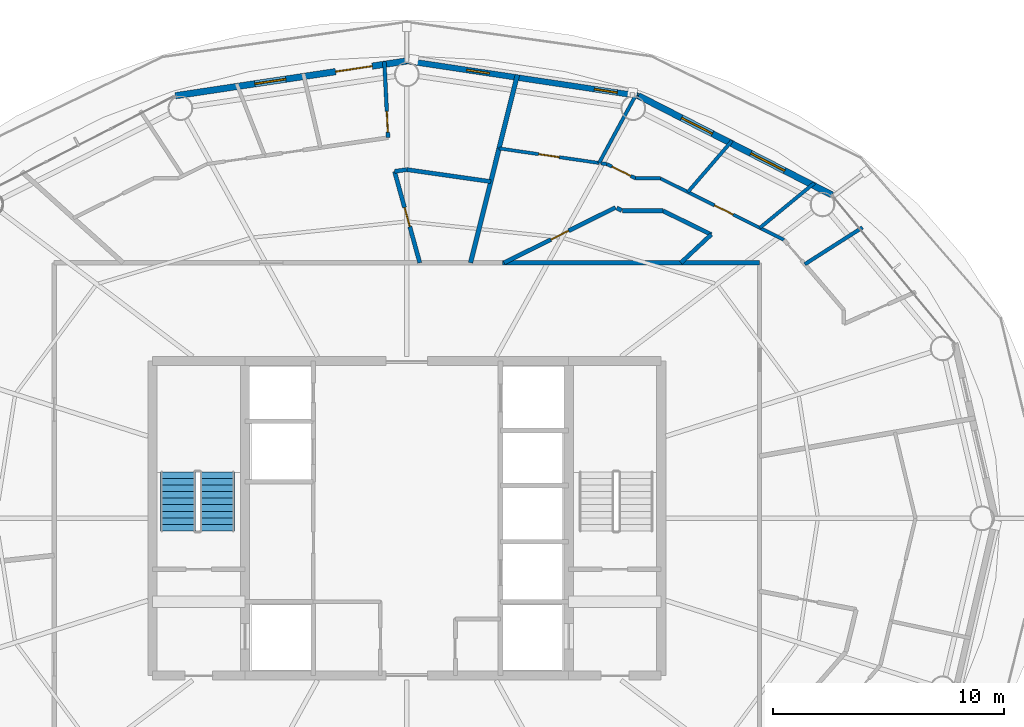
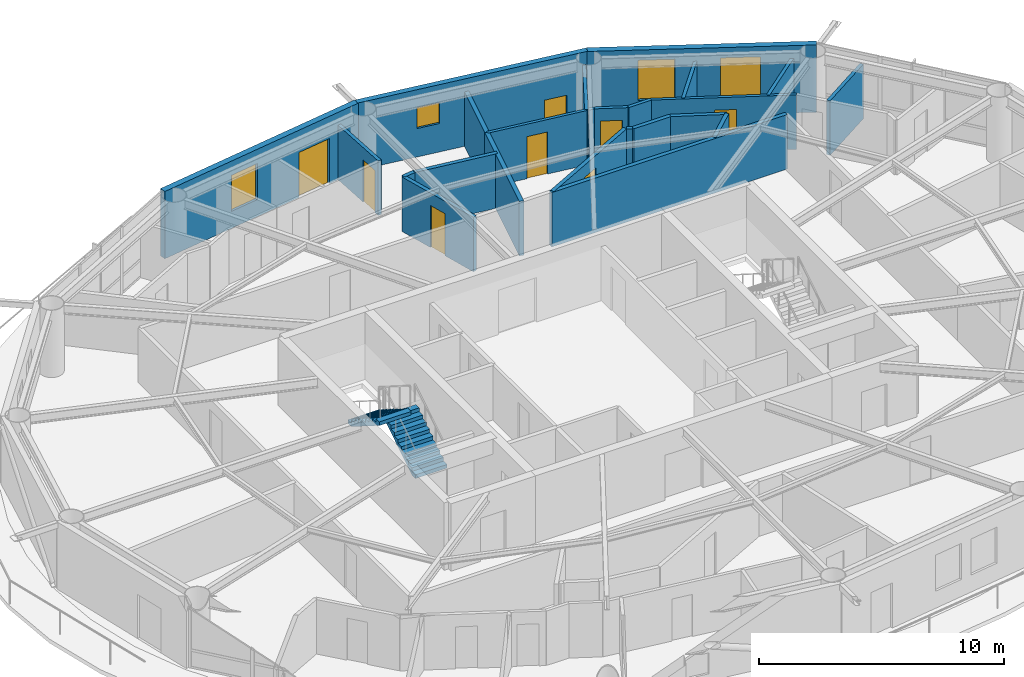
# One storey, part 19 of 23: 24 walls, 7 doors, 5 windows, 2 stair flights, 12 openings, 1 element without a shape of its own.
"""IFC4 building model written with IfcOpenShell, lengths in metres."""

from ifc_helpers import new_model, si_unit, direction, frame, frame_2d, origin, place, context, subcontext, project, spatial, polyline, rectangle, outline, extrude, material, layer, layer_set, type_object, element, fill, aggregate, save


model = new_model("IFC4")

# Units and contexts
model_context = context("Model", 3, precision=1e-05, world=origin(), true_north=direction((0.0, 1.0)))
body_context = subcontext(model_context, "Body", "Model", "MODEL_VIEW")
ifc_project = project(units=[si_unit("LENGTHUNIT", "METRE"), si_unit("AREAUNIT", "SQUARE_METRE"), si_unit("VOLUMEUNIT", "CUBIC_METRE"), si_unit("PLANEANGLEUNIT", "RADIAN"), si_unit("MASSUNIT", "GRAM", prefix="KILO")], contexts=[model_context])

# Site, building, storey
site_placement = place(None, origin())
site = spatial("IfcSite", under=ifc_project, at=site_placement, CompositionType="ELEMENT")
building_placement = place(site_placement, origin())
building = spatial("IfcBuilding", under=site, at=building_placement, Name="Sarneth Arch Tower", CompositionType="ELEMENT")
storey_placement = place(building_placement, frame((0.0, 0.0, 246.0)))
storey = spatial("IfcBuildingStorey", under=building, at=storey_placement, Name="L63", CompositionType="ELEMENT", Elevation=246.0)

# Wall
ifc_material_1 = material(Name="Double steel-stud corridor fire wall", Category="steel")
ifc_layer_1 = layer(ifc_material_1, 0.18994140625)
ifc_layer_set_1 = layer_set([ifc_layer_1], Name="Double steel-stud corridor fire wall")
wall_type_1 = type_object("IfcWallType", Name="WALL-CORR-190", PredefinedType="PARTITIONING", material=ifc_layer_set_1)
wall_1_placement = place(storey_placement, frame((52.132568359375, 53.050048828125, 0.0), z_axis=(0.0, 0.0, 1.0), x_axis=(1.0, 0.0, 0.0)))
element("IfcWall", 1, at=wall_1_placement, inside=storey, type_object=wall_type_1, Name="L63 Interior partition W-L63-TP-004", PredefinedType="PARTITIONING", context=body_context, shape_type="SweptSolid", body=[
    extrude(rectangle(XDim=11.117431640625, YDim=0.18994140625, at=frame_2d((5.55859375, 0.0))), origin(), (0.0, 0.0, 1.0), 2.719970703125),
])

# Wall, openings, windows
ifc_material_2 = material(Name="Extruded terracotta rainscreen on Concrete C40/50 backing", Category="masonry")
ifc_layer_2 = layer(ifc_material_2, 0.25)
ifc_layer_set_2 = layer_set([ifc_layer_2], Name="Extruded terracotta rainscreen on Concrete C40/50 backing")
wall_type_2 = type_object("IfcWallType", Name="WALL-EXT-SPAND-250", PredefinedType="SOLIDWALL", material=ifc_layer_set_2)
wall_2_placement = place(storey_placement, frame((58.0126953125, 60.2744140625, 0.0), z_axis=(0.0, 0.0, 1.0), x_axis=(-0.988882522213, 0.148698881169, 0.0)))
wall_2 = element("IfcWall", 2, at=wall_2_placement, inside=storey, type_object=wall_type_2, Name="L63 Terracotta perimeter wall 04", PredefinedType="SOLIDWALL", context=body_context, shape_type="SweptSolid", body=[
    extrude(rectangle(XDim=10.125244140625, YDim=0.25, at=frame_2d((5.0625, 0.0))), origin(), (0.0, 0.0, 1.0), 3.360107421875),
])
opening_1_placement = place(wall_2_placement, frame((0.919677734375, 0.0, 0.35009765625)))
opening_1 = element("IfcOpeningElement", 3, at=opening_1_placement, cuts=wall_2, Name="Opening W-14", PredefinedType="OPENING", context=body_context, shape_type="SweptSolid", body=[
    extrude(rectangle(XDim=1.0, YDim=1.050048828125, at=frame_2d((0.5, 0.52490234375))), frame((0.0, 0.135009765625, 0.0), z_axis=(0.0, -1.0, 0.0), x_axis=(1.0, 0.0, 0.0)), (0.0, 0.0, 1.0), 0.27001953125),
])
opening_2_placement = place(wall_2_placement, frame((6.513671875, 0.0, 1.419921875)))
opening_2 = element("IfcOpeningElement", 4, at=opening_2_placement, cuts=wall_2, Name="Opening W-14", PredefinedType="OPENING", context=body_context, shape_type="SweptSolid", body=[
    extrude(rectangle(XDim=1.0, YDim=1.050048828125, at=frame_2d((0.5, 0.52490234375))), frame((0.0, 0.135009765625, 0.0), z_axis=(0.0, -1.0, 0.0), x_axis=(1.0, 0.0, 0.0)), (0.0, 0.0, 1.0), 0.27001953125),
])
ifc_material_3 = material(Name="Thermally broken Aluminium 6063-T6 and low-e laminated IGU", Category="aluminium")
window_type_1 = type_object("IfcWindowType", Name="WIN-TWR-1000x1050", PartitioningType="SINGLE_PANEL", PredefinedType="WINDOW", material=ifc_material_3)
window_1_placement = place(opening_1_placement, origin())
window_1 = element("IfcWindow", 5, at=window_1_placement, inside=storey, type_object=window_type_1, Name="L63 Dwelling bedroom window 01", OverallHeight=1.050048828125, OverallWidth=1.0, PartitioningType="SINGLE_PANEL", PredefinedType="WINDOW", context=body_context, shape_type="SweptSolid", body=[
    extrude(rectangle(XDim=1.0, YDim=1.050048828125, at=frame_2d((0.5, 0.52490234375))), frame((0.0, 0.030029296875, 0.0), z_axis=(0.0, -1.0, 0.0), x_axis=(1.0, 0.0, 0.0)), (0.0, 0.0, 1.0), 0.06005859375),
])
fill(opening_1, window_1)
window_2_placement = place(opening_2_placement, origin())
window_2 = element("IfcWindow", 6, at=window_2_placement, inside=storey, type_object=window_type_1, Name="L63 Dwelling bedroom window 02", OverallHeight=1.050048828125, OverallWidth=1.0, PartitioningType="SINGLE_PANEL", PredefinedType="WINDOW", context=body_context, shape_type="SweptSolid", body=[
    extrude(rectangle(XDim=1.0, YDim=1.050048828125, at=frame_2d((0.5, 0.52490234375))), frame((0.0, 0.030029296875, 0.0), z_axis=(0.0, -1.0, 0.0), x_axis=(1.0, 0.0, 0.0)), (0.0, 0.0, 1.0), 0.06005859375),
])
fill(opening_2, window_2)

ifc_material_4 = material(Name="Extruded terracotta rainscreen on Concrete C40/50 backing", Category="masonry")
ifc_layer_3 = layer(ifc_material_4, 0.280029296875)
ifc_layer_set_3 = layer_set([ifc_layer_3], Name="Extruded terracotta rainscreen on Concrete C40/50 backing")
wall_type_3 = type_object("IfcWallType", Name="WALL-EXT-TERRA-280", PredefinedType="SOLIDWALL", material=ifc_layer_set_3)
wall_3_placement = place(storey_placement, frame((66.382568359375, 55.986572265625, 0.0), z_axis=(0.0, 0.0, 1.0), x_axis=(-0.890007394051, 0.455946091699, 0.0)))
wall_3 = element("IfcWall", 7, at=wall_3_placement, inside=storey, type_object=wall_type_3, Name="L63 Terracotta perimeter wall 03", PredefinedType="SOLIDWALL", context=body_context, shape_type="SweptSolid", body=[
    extrude(rectangle(XDim=9.404296875, YDim=0.280029296875, at=frame_2d((4.7021484375, 0.0))), origin(), (0.0, 0.0, 1.0), 3.360107421875),
])
opening_3_placement = place(wall_3_placement, frame((2.294189453125, 0.0, 0.85009765625)))
opening_3 = element("IfcOpeningElement", 8, at=opening_3_placement, cuts=wall_3, Name="Opening W-05", PredefinedType="OPENING", context=body_context, shape_type="SweptSolid", body=[
    extrude(rectangle(XDim=1.64990234375, YDim=2.0, at=frame_2d((0.824951171875, 1.0))), frame((0.0, 0.14990234375, 0.0), z_axis=(0.0, -1.0, 0.0), x_axis=(1.0, 0.0, 0.0)), (0.0, 0.0, 1.0), 0.300048828125),
])
opening_4_placement = place(wall_3_placement, frame((5.81005859375, 0.0, 0.85009765625)))
opening_4 = element("IfcOpeningElement", 9, at=opening_4_placement, cuts=wall_3, Name="Opening W-06", PredefinedType="OPENING", context=body_context, shape_type="SweptSolid", body=[
    extrude(rectangle(XDim=1.5, YDim=2.0, at=frame_2d((0.75, 1.0))), frame((0.0, 0.14990234375, 0.0), z_axis=(0.0, -1.0, 0.0), x_axis=(1.0, 0.0, 0.0)), (0.0, 0.0, 1.0), 0.300048828125),
])
ifc_material_5 = material(Name="Thermally broken Aluminium 6063-T6 and low-e laminated IGU", Category="aluminium")
window_type_2 = type_object("IfcWindowType", Name="WIN-TWR-1500x2000", PartitioningType="SINGLE_PANEL", PredefinedType="WINDOW", material=ifc_material_5)
window_3_placement = place(opening_4_placement, origin())
window_3 = element("IfcWindow", 10, at=window_3_placement, inside=storey, type_object=window_type_2, Name="L63 Exterior window 03B", OverallHeight=2.0, OverallWidth=1.5, PartitioningType="SINGLE_PANEL", PredefinedType="WINDOW", context=body_context, shape_type="SweptSolid", body=[
    extrude(rectangle(XDim=1.5, YDim=2.0, at=frame_2d((0.75, 1.0))), frame((0.0, 0.030029296875, 0.0), z_axis=(0.0, -1.0, 0.0), x_axis=(1.0, 0.0, 0.0)), (0.0, 0.0, 1.0), 0.06005859375),
])
fill(opening_4, window_3)
ifc_material_6 = material(Name="Thermally broken Aluminium 6063-T6 and low-e laminated IGU", Category="aluminium")
window_type_3 = type_object("IfcWindowType", Name="WIN-TWR-1650x2000", PartitioningType="DOUBLE_PANEL_VERTICAL", PredefinedType="WINDOW", material=ifc_material_6)
window_4_placement = place(opening_3_placement, origin())
window_4 = element("IfcWindow", 11, at=window_4_placement, inside=storey, type_object=window_type_3, Name="L63 Exterior window 03A", OverallHeight=2.0, OverallWidth=1.64990234375, PartitioningType="SINGLE_PANEL", PredefinedType="WINDOW", context=body_context, shape_type="SweptSolid", body=[
    extrude(rectangle(XDim=1.64990234375, YDim=2.0, at=frame_2d((0.824951171875, 1.0))), frame((0.0, 0.030029296875, 0.0), z_axis=(0.0, -1.0, 0.0), x_axis=(1.0, 0.0, 0.0)), (0.0, 0.0, 1.0), 0.06005859375),
])
fill(opening_3, window_4)

# Wall, openings, door, window
wall_4_placement = place(storey_placement, frame((48.0, 61.780029296875, 0.0), z_axis=(0.0, 0.0, 1.0), x_axis=(-0.988882522213, -0.148698881169, 0.0)))
wall_4 = element("IfcWall", 12, at=wall_4_placement, inside=storey, type_object=wall_type_3, Name="L63 Terracotta perimeter wall 05", PredefinedType="SOLIDWALL", context=body_context, shape_type="SweptSolid", body=[
    extrude(rectangle(XDim=10.125244140625, YDim=0.280029296875, at=frame_2d((5.0625, 0.0))), origin(), (0.0, 0.0, 1.0), 3.360107421875),
])
opening_5_placement = place(wall_4_placement, frame((1.51611328125, 0.0, 0.0)))
opening_5 = element("IfcOpeningElement", 13, at=opening_5_placement, cuts=wall_4, Name="Opening BD-1", PredefinedType="OPENING", context=body_context, shape_type="SweptSolid", body=[
    extrude(rectangle(XDim=1.60009765625, YDim=2.25, at=frame_2d((0.800048828125, 1.125))), frame((0.0, 0.14990234375, 0.0), z_axis=(0.0, -1.0, 0.0), x_axis=(1.0, 0.0, 0.0)), (0.0, 0.0, 1.0), 0.300048828125),
])
opening_6_placement = place(wall_4_placement, frame((5.29345703125, 0.0, 0.85009765625)))
opening_6 = element("IfcOpeningElement", 14, at=opening_6_placement, cuts=wall_4, Name="Opening W-08", PredefinedType="OPENING", context=body_context, shape_type="SweptSolid", body=[
    extrude(rectangle(XDim=1.35009765625, YDim=1.800048828125, at=frame_2d((0.675048828125, 0.89990234375))), frame((0.0, 0.14990234375, 0.0), z_axis=(0.0, -1.0, 0.0), x_axis=(1.0, 0.0, 0.0)), (0.0, 0.0, 1.0), 0.300048828125),
])
ifc_material_7 = material(Name="Thermally broken Aluminium 6063-T6 and laminated safety glass", Category="aluminium")
door_type_1 = type_object("IfcDoorType", Name="DR-BALC-GLZ-1600", OperationType="DOUBLE_DOOR_SINGLE_SWING", PredefinedType="DOOR", material=ifc_material_7)
door_1_placement = place(opening_5_placement, origin())
door_1 = element("IfcDoor", 15, at=door_1_placement, inside=storey, type_object=door_type_1, Name="L63 Balcony glazed door 05", OperationType="DOUBLE_DOOR_SINGLE_SWING", OverallHeight=2.25, OverallWidth=1.60009765625, PredefinedType="DOOR", context=body_context, shape_type="SweptSolid", body=[
    extrude(rectangle(XDim=1.60009765625, YDim=2.25, at=frame_2d((0.800048828125, 1.125))), frame((0.0, 0.02490234375, 0.0), z_axis=(0.0, -1.0, 0.0), x_axis=(1.0, 0.0, 0.0)), (0.0, 0.0, 1.0), 0.050048828125),
])
fill(opening_5, door_1)
ifc_material_8 = material(Name="Thermally broken Aluminium 6063-T6 and low-e laminated IGU", Category="aluminium")
window_type_4 = type_object("IfcWindowType", Name="WIN-TWR-1350x1800", PartitioningType="SINGLE_PANEL", PredefinedType="WINDOW", material=ifc_material_8)
window_5_placement = place(opening_6_placement, origin())
window_5 = element("IfcWindow", 16, at=window_5_placement, inside=storey, type_object=window_type_4, Name="L63 Exterior window 05A", OverallHeight=1.800048828125, OverallWidth=1.35009765625, PartitioningType="SINGLE_PANEL", PredefinedType="WINDOW", context=body_context, shape_type="SweptSolid", body=[
    extrude(rectangle(XDim=1.35009765625, YDim=1.800048828125, at=frame_2d((0.675048828125, 0.89990234375))), frame((0.0, 0.030029296875, 0.0), z_axis=(0.0, -1.0, 0.0), x_axis=(1.0, 0.0, 0.0)), (0.0, 0.0, 1.0), 0.06005859375),
])
fill(opening_6, window_5)

# Wall, opening, door
ifc_material_9 = material(Name="Apartment internal stud partition", Category="gypsum")
ifc_layer_4 = layer(ifc_material_9, 0.139892578125)
ifc_layer_set_4 = layer_set([ifc_layer_4], Name="Apartment internal stud partition")
wall_type_4 = type_object("IfcWallType", Name="WALL-PART-140", PredefinedType="PARTITIONING", material=ifc_layer_set_4)
wall_5_placement = place(storey_placement, frame((56.313232421875, 57.36767578125, 0.0), z_axis=(0.0, 0.0, 1.0), x_axis=(-0.989534144388, 0.144298915765, 0.0)))
wall_5 = element("IfcWall", 17, at=wall_5_placement, inside=storey, type_object=wall_type_4, Name="L63 Interior partition W-L63-TP-032", PredefinedType="PARTITIONING", context=body_context, shape_type="SweptSolid", body=[
    extrude(rectangle(XDim=4.3701171875, YDim=0.139892578125, at=frame_2d((2.18505859375, 0.0))), origin(), (0.0, 0.0, 1.0), 2.719970703125),
])
opening_7_placement = place(wall_5_placement, frame((1.735107421875, 0.0, 0.0)))
opening_7 = element("IfcOpeningElement", 18, at=opening_7_placement, cuts=wall_5, Name="Opening ID-01", PredefinedType="OPENING", context=body_context, shape_type="SweptSolid", body=[
    extrude(rectangle(XDim=0.89990234375, YDim=2.10009765625, at=frame_2d((0.449951171875, 1.050048828125))), frame((0.0, 0.079833984375, 0.0), z_axis=(0.0, -1.0, 0.0), x_axis=(1.0, 0.0, 0.0)), (0.0, 0.0, 1.0), 0.159912109375),
])
ifc_material_10 = material(Name="Engineered hardwood flush door", Category="wood")
door_type_2 = type_object("IfcDoorType", Name="DR-INT-900", OperationType="SINGLE_SWING_LEFT", PredefinedType="DOOR", material=ifc_material_10)
door_2_placement = place(opening_7_placement, origin())
door_2 = element("IfcDoor", 19, at=door_2_placement, inside=storey, type_object=door_type_2, Name="L63 Interior door DR-L63-U1-BED3", OperationType="SINGLE_SWING_RIGHT", OverallHeight=2.10009765625, OverallWidth=0.89990234375, PredefinedType="DOOR", context=body_context, shape_type="SweptSolid", body=[
    extrude(rectangle(XDim=0.89990234375, YDim=2.10009765625, at=frame_2d((0.449951171875, 1.050048828125))), frame((0.0, 0.02490234375, 0.0), z_axis=(0.0, -1.0, 0.0), x_axis=(1.0, 0.0, 0.0)), (0.0, 0.0, 1.0), 0.050048828125),
])
fill(opening_7, door_2)

wall_6_placement = place(storey_placement, frame((58.9638671875, 56.699951171875, 0.0), z_axis=(0.0, 0.0, 1.0), x_axis=(0.895471406875, -0.445119039661, 0.0)))
wall_6 = element("IfcWall", 20, at=wall_6_placement, inside=storey, type_object=wall_type_4, Name="L63 Interior partition W-L63-TP-027", PredefinedType="PARTITIONING", context=body_context, shape_type="SweptSolid", body=[
    extrude(rectangle(XDim=5.971435546875, YDim=0.139892578125, at=frame_2d((2.98583984375, 0.0))), origin(), (0.0, 0.0, 1.0), 2.719970703125),
])
opening_8_placement = place(wall_6_placement, frame((2.615966796875, 0.0, 0.0)))
opening_8 = element("IfcOpeningElement", 21, at=opening_8_placement, cuts=wall_6, Name="Opening ID-01", PredefinedType="OPENING", context=body_context, shape_type="SweptSolid", body=[
    extrude(rectangle(XDim=0.89990234375, YDim=2.10009765625, at=frame_2d((0.449951171875, 1.050048828125))), frame((0.0, 0.079833984375, 0.0), z_axis=(0.0, -1.0, 0.0), x_axis=(1.0, 0.0, 0.0)), (0.0, 0.0, 1.0), 0.159912109375),
])
door_3_placement = place(opening_8_placement, origin())
door_3 = element("IfcDoor", 22, at=door_3_placement, inside=storey, type_object=door_type_2, Name="L63 Interior door DR-L63-U1-BED1", OperationType="SINGLE_SWING_LEFT", OverallHeight=2.10009765625, OverallWidth=0.89990234375, PredefinedType="DOOR", context=body_context, shape_type="SweptSolid", body=[
    extrude(rectangle(XDim=0.89990234375, YDim=2.10009765625, at=frame_2d((0.449951171875, 1.050048828125))), frame((0.0, 0.02490234375, 0.0), z_axis=(0.0, -1.0, 0.0), x_axis=(1.0, 0.0, 0.0)), (0.0, 0.0, 1.0), 0.050048828125),
])
fill(opening_8, door_3)

# Walls
ifc_material_11 = material(Name="Acoustic gypsum stud partition", Category="gypsum")
ifc_layer_5 = layer(ifc_material_11, 0.14990234375)
ifc_layer_set_5 = layer_set([ifc_layer_5], Name="Acoustic gypsum stud partition")
wall_type_5 = type_object("IfcWallType", Name="WALL-PART-150", PredefinedType="PARTITIONING", material=ifc_layer_set_5)
wall_7_placement = place(storey_placement, frame((57.952392578125, 60.3974609375, 0.0), z_axis=(0.0, 0.0, 1.0), x_axis=(-0.47584015673, -0.879531776142, 0.0)))
element("IfcWall", 23, at=wall_7_placement, inside=storey, type_object=wall_type_5, Name="L63 Interior partition W-L63-TP-040", PredefinedType="PARTITIONING", context=body_context, shape_type="SweptSolid", body=[
    extrude(rectangle(XDim=3.44482421875, YDim=0.14990234375, at=frame_2d((1.722412109375, 0.0))), origin(), (0.0, 0.0, 1.0), 2.719970703125),
])
wall_8_placement = place(storey_placement, frame((65.62158203125, 56.5, 0.0), z_axis=(0.0, 0.0, 1.0), x_axis=(-0.772175042734, -0.635409870381, 0.0)))
element("IfcWall", 24, at=wall_8_placement, inside=storey, type_object=wall_type_5, Name="L63 Interior partition W-L63-TP-038", PredefinedType="PARTITIONING", context=body_context, shape_type="SweptSolid", body=[
    extrude(rectangle(XDim=3.05078125, YDim=0.14990234375, at=frame_2d((1.525390625, 0.0))), origin(), (0.0, 0.0, 1.0), 2.719970703125),
])
wall_9_placement = place(storey_placement, frame((62.063232421875, 58.330322265625, 0.0), z_axis=(0.0, 0.0, 1.0), x_axis=(-0.652532437784, -0.757760791834, 0.0)))
element("IfcWall", 25, at=wall_9_placement, inside=storey, type_object=wall_type_5, Name="L63 Interior partition W-L63-TP-039", PredefinedType="PARTITIONING", context=body_context, shape_type="SweptSolid", body=[
    extrude(rectangle(XDim=2.93017578125, YDim=0.14990234375, at=frame_2d((1.465087890625, 0.0))), origin(), (0.0, 0.0, 1.0), 2.719970703125),
])

# Wall, opening, door
wall_10_placement = place(storey_placement, frame((57.898681640625, 56.699951171875, 0.0), z_axis=(0.0, 0.0, 1.0), x_axis=(-0.895584310315, 0.444891833053, 0.0)))
wall_10 = element("IfcWall", 26, at=wall_10_placement, inside=storey, type_object=wall_type_5, Name="L63 Interior partition W-L63-TP-030", PredefinedType="PARTITIONING", context=body_context, shape_type="SweptSolid", body=[
    extrude(rectangle(XDim=1.388916015625, YDim=0.14990234375, at=frame_2d((0.6943359375, 0.0))), origin(), (0.0, 0.0, 1.0), 2.719970703125),
])
opening_9_placement = place(wall_10_placement, frame((0.244384765625, 0.0, 0.0)))
opening_9 = element("IfcOpeningElement", 27, at=opening_9_placement, cuts=wall_10, Name="Opening ID-01", PredefinedType="OPENING", context=body_context, shape_type="SweptSolid", body=[
    extrude(rectangle(XDim=0.89990234375, YDim=2.10009765625, at=frame_2d((0.449951171875, 1.050048828125))), frame((0.0, 0.0849609375, 0.0), z_axis=(0.0, -1.0, 0.0), x_axis=(1.0, 0.0, 0.0)), (0.0, 0.0, 1.0), 0.169921875),
])
door_4_placement = place(opening_9_placement, origin())
door_4 = element("IfcDoor", 28, at=door_4_placement, inside=storey, type_object=door_type_2, Name="L63 Interior door DR-L63-U1-BED2", OperationType="SINGLE_SWING_RIGHT", OverallHeight=2.10009765625, OverallWidth=0.89990234375, PredefinedType="DOOR", context=body_context, shape_type="SweptSolid", body=[
    extrude(rectangle(XDim=0.89990234375, YDim=2.10009765625, at=frame_2d((0.449951171875, 1.050048828125))), frame((0.0, 0.02490234375, 0.0), z_axis=(0.0, -1.0, 0.0), x_axis=(1.0, 0.0, 0.0)), (0.0, 0.0, 1.0), 0.050048828125),
])
fill(opening_9, door_4)

# Walls
wall_11_placement = place(storey_placement, frame((58.9638671875, 56.699951171875, 0.0), z_axis=(0.0, 0.0, 1.0), x_axis=(-1.0, 0.0, 0.0)))
element("IfcWall", 29, at=wall_11_placement, inside=storey, type_object=wall_type_5, Name="L63 Interior partition W-L63-TP-029", PredefinedType="PARTITIONING", context=body_context, shape_type="SweptSolid", body=[
    extrude(rectangle(XDim=1.065185546875, YDim=0.14990234375, at=frame_2d((0.53271484375, 0.0))), origin(), (0.0, 0.0, 1.0), 2.719970703125),
])
wall_12_placement = place(storey_placement, frame((56.64697265625, 57.319091796875, 0.0), z_axis=(0.0, 0.0, 1.0), x_axis=(-0.989527057152, 0.144347508337, 0.0)))
element("IfcWall", 30, at=wall_12_placement, inside=storey, type_object=wall_type_5, Name="L63 Interior partition W-L63-TP-031", PredefinedType="PARTITIONING", context=body_context, shape_type="SweptSolid", body=[
    extrude(rectangle(XDim=0.245361328125, YDim=0.14990234375, at=frame_2d((0.12255859375, 0.0))), origin(), (0.0, 0.0, 1.0), 2.719970703125),
])

# Wall, opening, door
ifc_material_12 = material(Name="Kitchen wet service chase wall", Category="gypsum")
ifc_layer_6 = layer(ifc_material_12, 0.159912109375)
ifc_layer_set_6 = layer_set([ifc_layer_6], Name="Kitchen wet service chase wall")
wall_type_6 = type_object("IfcWallType", Name="WALL-PLUMB-160", PredefinedType="PLUMBINGWALL", material=ifc_layer_set_6)
wall_13_placement = place(storey_placement, frame((47.027587890625, 61.754638671875, 0.0), z_axis=(0.0, 0.0, 1.0), x_axis=(0.049173036427, -0.998790274526, 0.0)))
wall_13 = element("IfcWall", 31, at=wall_13_placement, inside=storey, type_object=wall_type_6, Name="L63 Interior partition W-L63-TP-043", PredefinedType="PLUMBINGWALL", context=body_context, shape_type="SweptSolid", body=[
    extrude(rectangle(XDim=3.296630859375, YDim=0.159912109375, at=frame_2d((1.6484375, 0.0))), origin(), (0.0, 0.0, 1.0), 2.719970703125),
])
opening_10_placement = place(wall_13_placement, frame((2.158447265625, 0.0, 0.0)))
opening_10 = element("IfcOpeningElement", 32, at=opening_10_placement, cuts=wall_13, Name="Opening ID-01", PredefinedType="OPENING", context=body_context, shape_type="SweptSolid", body=[
    extrude(rectangle(XDim=0.89990234375, YDim=2.10009765625, at=frame_2d((0.449951171875, 1.050048828125))), frame((0.0, 0.08984375, 0.0), z_axis=(0.0, -1.0, 0.0), x_axis=(1.0, 0.0, 0.0)), (0.0, 0.0, 1.0), 0.179931640625),
])
door_5_placement = place(opening_10_placement, origin())
door_5 = element("IfcDoor", 33, at=door_5_placement, inside=storey, type_object=door_type_2, Name="L63 Interior door DR-L63-U2-KIT", OperationType="SINGLE_SWING_LEFT", OverallHeight=2.10009765625, OverallWidth=0.89990234375, PredefinedType="DOOR", context=body_context, shape_type="SweptSolid", body=[
    extrude(rectangle(XDim=0.89990234375, YDim=2.10009765625, at=frame_2d((0.449951171875, 1.050048828125))), frame((0.0, 0.02490234375, 0.0), z_axis=(0.0, -1.0, 0.0), x_axis=(1.0, 0.0, 0.0)), (0.0, 0.0, 1.0), 0.050048828125),
])
fill(opening_10, door_5)

# Wall
wall_14_placement = place(storey_placement, frame((65.210205078125, 52.988037109375, 0.0), z_axis=(0.0, 0.0, 1.0), x_axis=(0.842827369803, 0.538184006369, 0.0)))
element("IfcWall", 34, at=wall_14_placement, inside=storey, type_object=wall_type_6, Name="L63 Interior partition W-L63-TP-037", PredefinedType="PLUMBINGWALL", context=body_context, shape_type="SweptSolid", body=[
    extrude(rectangle(XDim=2.956298828125, YDim=0.159912109375, at=frame_2d((1.47802734375, 0.0))), origin(), (0.0, 0.0, 1.0), 2.719970703125),
])

# Wall, opening, door
ifc_material_13 = material(Name="Moisture-resistant plumbing chase wall", Category="gypsum")
ifc_layer_7 = layer(ifc_material_13, 0.179931640625)
ifc_layer_set_7 = layer_set([ifc_layer_7], Name="Moisture-resistant plumbing chase wall")
wall_type_7 = type_object("IfcWallType", Name="WALL-PLUMB-180", PredefinedType="PLUMBINGWALL", material=ifc_layer_set_7)
wall_15_placement = place(storey_placement, frame((57.02587890625, 55.443603515625, 0.0), z_axis=(0.0, 0.0, 1.0), x_axis=(-0.895693557229, -0.444671847026, 0.0)))
wall_15 = element("IfcWall", 35, at=wall_15_placement, inside=storey, type_object=wall_type_7, Name="L63 Interior partition W-L63-TP-026", PredefinedType="PLUMBINGWALL", context=body_context, shape_type="SweptSolid", body=[
    extrude(rectangle(XDim=5.3828125, YDim=0.179931640625, at=frame_2d((2.69140625, 0.0))), origin(), (0.0, 0.0, 1.0), 2.719970703125),
])
opening_11_placement = place(wall_15_placement, frame((2.2666015625, 0.0, 0.0)))
opening_11 = element("IfcOpeningElement", 36, at=opening_11_placement, cuts=wall_15, Name="Opening ID-02", PredefinedType="OPENING", context=body_context, shape_type="SweptSolid", body=[
    extrude(rectangle(XDim=0.85009765625, YDim=2.10009765625, at=frame_2d((0.425048828125, 1.050048828125))), frame((0.0, 0.099853515625, 0.0), z_axis=(0.0, -1.0, 0.0), x_axis=(1.0, 0.0, 0.0)), (0.0, 0.0, 1.0), 0.199951171875),
])
ifc_material_14 = material(Name="Moisture-resistant bathroom timber door", Category="wood")
door_type_3 = type_object("IfcDoorType", Name="DR-INT-850", OperationType="SINGLE_SWING_RIGHT", PredefinedType="DOOR", material=ifc_material_14)
door_6_placement = place(opening_11_placement, origin())
door_6 = element("IfcDoor", 37, at=door_6_placement, inside=storey, type_object=door_type_3, Name="L63 Interior door DR-L63-U1-BATH", OperationType="SINGLE_SWING_RIGHT", OverallHeight=2.10009765625, OverallWidth=0.85009765625, PredefinedType="DOOR", context=body_context, shape_type="SweptSolid", body=[
    extrude(rectangle(XDim=0.85009765625, YDim=2.10009765625, at=frame_2d((0.425048828125, 1.050048828125))), frame((0.0, 0.02490234375, 0.0), z_axis=(0.0, -1.0, 0.0), x_axis=(1.0, 0.0, 0.0)), (0.0, 0.0, 1.0), 0.050048828125),
])
fill(opening_11, door_6)

wall_16_placement = place(storey_placement, frame((48.55908203125, 53.050048828125, 0.0), z_axis=(0.0, 0.0, 1.0), x_axis=(-0.265841254341, 0.964016819091, 0.0)))
wall_16 = element("IfcWall", 38, at=wall_16_placement, inside=storey, type_object=wall_type_7, Name="L63 Interior partition W-L63-TP-045", PredefinedType="PLUMBINGWALL", context=body_context, shape_type="SweptSolid", body=[
    extrude(rectangle(XDim=4.101318359375, YDim=0.179931640625, at=frame_2d((2.05078125, 0.0))), origin(), (0.0, 0.0, 1.0), 2.719970703125),
])
opening_12_placement = place(wall_16_placement, frame((1.625732421875, 0.0, 0.0)))
opening_12 = element("IfcOpeningElement", 39, at=opening_12_placement, cuts=wall_16, Name="Opening ID-02", PredefinedType="OPENING", context=body_context, shape_type="SweptSolid", body=[
    extrude(rectangle(XDim=0.85009765625, YDim=2.10009765625, at=frame_2d((0.425048828125, 1.050048828125))), frame((0.0, 0.099853515625, 0.0), z_axis=(0.0, -1.0, 0.0), x_axis=(1.0, 0.0, 0.0)), (0.0, 0.0, 1.0), 0.199951171875),
])
door_7_placement = place(opening_12_placement, origin())
door_7 = element("IfcDoor", 40, at=door_7_placement, inside=storey, type_object=door_type_3, Name="L63 Interior door DR-L63-U2-BATH", OperationType="SINGLE_SWING_LEFT", OverallHeight=2.10009765625, OverallWidth=0.85009765625, PredefinedType="DOOR", context=body_context, shape_type="SweptSolid", body=[
    extrude(rectangle(XDim=0.85009765625, YDim=2.10009765625, at=frame_2d((0.425048828125, 1.050048828125))), frame((0.0, 0.02490234375, 0.0), z_axis=(0.0, -1.0, 0.0), x_axis=(1.0, 0.0, 0.0)), (0.0, 0.0, 1.0), 0.050048828125),
])
fill(opening_12, door_7)

# Walls
wall_17_placement = place(storey_placement, frame((48.0, 57.080078125, 0.0), z_axis=(0.0, 0.0, 1.0), x_axis=(0.989914846941, -0.141663671439, 0.0)))
element("IfcWall", 41, at=wall_17_placement, inside=storey, type_object=wall_type_7, Name="L63 Interior partition W-L63-TP-047", PredefinedType="PLUMBINGWALL", context=body_context, shape_type="SweptSolid", body=[
    extrude(rectangle(XDim=3.667236328125, YDim=0.179931640625, at=frame_2d((1.83349609375, 0.0))), origin(), (0.0, 0.0, 1.0), 2.719970703125),
])
wall_18_placement = place(storey_placement, frame((61.16162109375, 54.2734375, 0.0), z_axis=(0.0, 0.0, 1.0), x_axis=(-0.897774561906, 0.440455259925, 0.0)))
element("IfcWall", 42, at=wall_18_placement, inside=storey, type_object=wall_type_7, Name="L63 Interior partition W-L63-TP-023", PredefinedType="PLUMBINGWALL", context=body_context, shape_type="SweptSolid", body=[
    extrude(rectangle(XDim=2.330810546875, YDim=0.179931640625, at=frame_2d((1.16552734375, 0.0))), origin(), (0.0, 0.0, 1.0), 2.719970703125),
])
wall_19_placement = place(storey_placement, frame((59.849609375, 53.050048828125, 0.0), z_axis=(0.0, 0.0, 1.0), x_axis=(0.731376514485, 0.681973895438, 0.0)))
element("IfcWall", 43, at=wall_19_placement, inside=storey, type_object=wall_type_7, Name="L63 Interior partition W-L63-TP-022", PredefinedType="PLUMBINGWALL", context=body_context, shape_type="SweptSolid", body=[
    extrude(rectangle(XDim=1.7939453125, YDim=0.179931640625, at=frame_2d((0.89697265625, 0.0))), origin(), (0.0, 0.0, 1.0), 2.719970703125),
])
wall_20_placement = place(storey_placement, frame((59.069091796875, 55.300048828125, 0.0), z_axis=(0.0, 0.0, 1.0), x_axis=(-1.0, 0.0, 0.0)))
element("IfcWall", 44, at=wall_20_placement, inside=storey, type_object=wall_type_7, Name="L63 Interior partition W-L63-TP-024", PredefinedType="PLUMBINGWALL", context=body_context, shape_type="SweptSolid", body=[
    extrude(rectangle(XDim=1.748291015625, YDim=0.179931640625, at=frame_2d((0.8740234375, 0.0))), origin(), (0.0, 0.0, 1.0), 2.719970703125),
])
wall_21_placement = place(storey_placement, frame((47.46875, 57.00390625, 0.0), z_axis=(0.0, 0.0, 1.0), x_axis=(0.989876577508, 0.141930832804, 0.0)))
element("IfcWall", 45, at=wall_21_placement, inside=storey, type_object=wall_type_7, Name="L63 Interior partition W-L63-TP-046", PredefinedType="PLUMBINGWALL", context=body_context, shape_type="SweptSolid", body=[
    extrude(rectangle(XDim=0.53662109375, YDim=0.179931640625, at=frame_2d((0.268310546875, 0.0))), origin(), (0.0, 0.0, 1.0), 2.719970703125),
])
wall_22_placement = place(storey_placement, frame((57.295654296875, 55.312255859375, 0.0), z_axis=(0.0, 0.0, 1.0), x_axis=(-0.89885637809, 0.438243324612, 0.0)))
element("IfcWall", 46, at=wall_22_placement, inside=storey, type_object=wall_type_7, Name="L63 Interior partition W-L63-TP-025", PredefinedType="PLUMBINGWALL", context=body_context, shape_type="SweptSolid", body=[
    extrude(rectangle(XDim=0.239990234375, YDim=0.179931640625, at=frame_2d((0.1201171875, 0.0))), origin(), (0.0, 0.0, 1.0), 2.719970703125),
])
ifc_material_15 = material(Name="Double steel-stud acoustic drywall", Category="steel")
ifc_layer_8 = layer(ifc_material_15, 0.199951171875)
ifc_layer_set_8 = layer_set([ifc_layer_8], Name="Double steel-stud acoustic drywall")
wall_type_8 = type_object("IfcWallType", Name="WALL-UNIT-200", PredefinedType="PARTITIONING", material=ifc_layer_set_8)
wall_23_placement = place(storey_placement, frame((51.989013671875, 57.998291015625, 0.0), z_axis=(0.0, 0.0, 1.0), x_axis=(-0.241949841323, -0.970288758197, 0.0)))
element("IfcWall", 47, at=wall_23_placement, inside=storey, type_object=wall_type_8, Name="L63 Interior partition W-L63-TP-034", PredefinedType="PARTITIONING", context=body_context, shape_type="SweptSolid", body=[
    extrude(rectangle(XDim=5.099853515625, YDim=0.199951171875, at=frame_2d((2.5498046875, 0.0))), origin(), (0.0, 0.0, 1.0), 2.719970703125),
])
wall_24_placement = place(storey_placement, frame((51.98876953125, 57.998291015625, 0.0), z_axis=(0.0, 0.0, 1.0), x_axis=(0.241922748291, 0.970295513676, 0.0)))
element("IfcWall", 48, at=wall_24_placement, inside=storey, type_object=wall_type_8, Name="L63 Interior partition W-L63-TP-041", PredefinedType="PARTITIONING", context=body_context, shape_type="SweptSolid", body=[
    extrude(rectangle(XDim=3.28076171875, YDim=0.199951171875, at=frame_2d((1.640380859375, 0.0))), origin(), (0.0, 0.0, 1.0), 2.719970703125),
])

# Stair, stair flights
ifc_material_16 = material(Name="Concrete C50/60", Category="concrete")
stair_type = type_object("IfcStairType", Name="STAIR-CORE-RC", PredefinedType="HALF_TURN_STAIR", material=ifc_material_16)
stair_placement = place(storey_placement, origin())
stair = element("IfcStair", 49, at=stair_placement, inside=storey, type_object=stair_type, Name="L63 Core Exit Stair 1", PredefinedType="HALF_TURN_STAIR")
ifc_material_17 = material(Name="Concrete C50/60", Category="concrete")
stair_flight_type = type_object("IfcStairFlightType", Name="FLIGHT-RC-1500", PredefinedType="STRAIGHT", material=ifc_material_17)
stair_flight_1_placement = place(storey_placement, frame((39.800048828125, 41.449951171875, 0.0), z_axis=(0.0, 0.0, 1.0), x_axis=(0.0, 1.0, 0.0)))
stair_flight_1 = element("IfcStairFlight", 50, at=stair_flight_1_placement, type_object=stair_flight_type, Name="ST-1 flight 1", NumberOfRisers=10, NumberOfTreads=9, PredefinedType="STRAIGHT", RiserHeight=0.18, TreadLength=0.285, context=body_context, shape_type="SweptSolid", body=[
    extrude(outline(polyline([(0.0, 0.0), (0.0, 0.179931640625), (0.284912109375, 0.179931640625), (0.284912109375, 0.360107421875), (0.570068359375, 0.360107421875), (0.570068359375, 0.5400390625), (0.85498046875, 0.5400390625), (0.85498046875, 0.719970703125), (1.139892578125, 0.719970703125), (1.139892578125, 0.89990234375), (1.425048828125, 0.89990234375), (1.425048828125, 1.080078125), (1.7099609375, 1.080078125), (1.7099609375, 1.260009765625), (1.9951171875, 1.260009765625), (1.9951171875, 1.43994140625), (2.280029296875, 1.43994140625), (2.280029296875, 1.6201171875), (2.56494140625, 1.6201171875), (2.56494140625, 1.800048828125), (2.56494140625, 1.442626953125), (0.28076171875, 0.0), (0.0, 0.0)])), frame((0.0, 0.75, 0.0), z_axis=(0.0, -1.0, 0.0), x_axis=(1.0, 0.0, 0.0)), (0.0, 0.0, 1.0), 1.5),
])
stair_flight_2_placement = place(storey_placement, frame((38.10009765625, 44.014892578125, 1.800048828125), z_axis=(0.0, 0.0, 1.0), x_axis=(0.0, -1.0, 0.0)))
stair_flight_2 = element("IfcStairFlight", 51, at=stair_flight_2_placement, type_object=stair_flight_type, Name="ST-1 flight 2", NumberOfRisers=10, NumberOfTreads=9, PredefinedType="STRAIGHT", RiserHeight=0.18, TreadLength=0.285, context=body_context, shape_type="SweptSolid", body=[
    extrude(outline(polyline([(0.0, 0.0), (0.0, 0.179931640625), (0.284912109375, 0.179931640625), (0.284912109375, 0.360107421875), (0.570068359375, 0.360107421875), (0.570068359375, 0.5400390625), (0.85498046875, 0.5400390625), (0.85498046875, 0.719970703125), (1.139892578125, 0.719970703125), (1.139892578125, 0.89990234375), (1.425048828125, 0.89990234375), (1.425048828125, 1.080078125), (1.7099609375, 1.080078125), (1.7099609375, 1.260009765625), (1.9951171875, 1.260009765625), (1.9951171875, 1.43994140625), (2.280029296875, 1.43994140625), (2.280029296875, 1.6201171875), (2.56494140625, 1.6201171875), (2.56494140625, 1.800048828125), (2.56494140625, 1.442626953125), (0.28076171875, 0.0), (0.0, 0.0)])), frame((0.0, 0.75, 0.0), z_axis=(0.0, -1.0, 0.0), x_axis=(1.0, 0.0, 0.0)), (0.0, 0.0, 1.0), 1.5),
])
aggregate(stair, [stair_flight_1, stair_flight_2])

save(model, "model.ifc")
